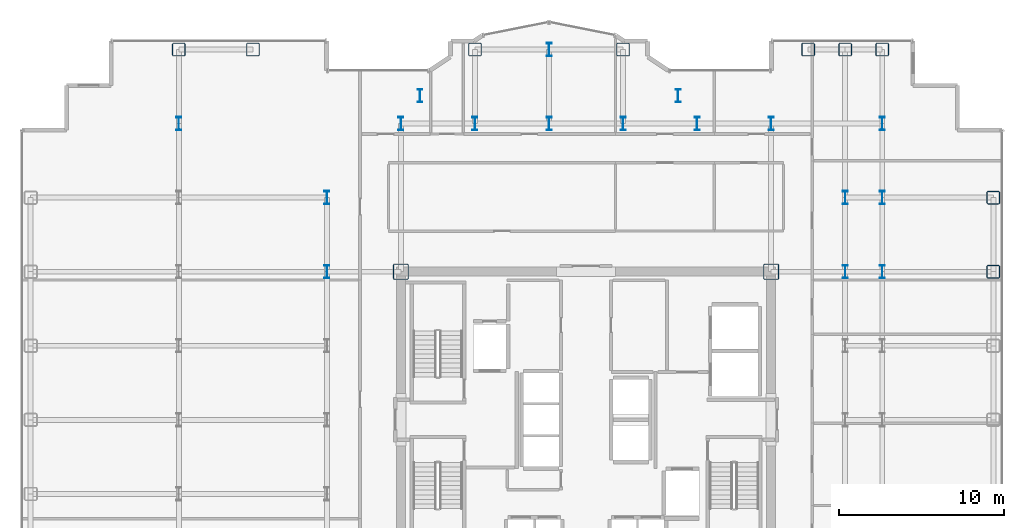
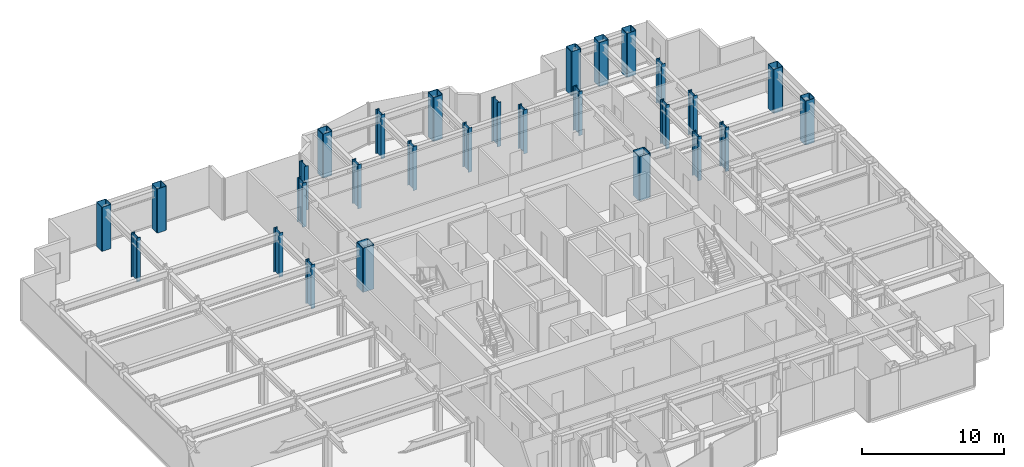
# One storey, part 2 of 23: 28 columns.
"""IFC4 building model written with IfcOpenShell, lengths in metres."""

from ifc_helpers import new_model, si_unit, direction, frame, origin, origin_2d, place, context, subcontext, project, spatial, hollow_rectangle, i_section, extrude, source, transform, mapped, material, material_profile, profile_set, type_object, element, save


model = new_model("IFC4")

# Units and contexts
model_context = context("Model", 3, precision=1e-05, world=origin(), true_north=direction((0.0, 1.0)))
body_context = subcontext(model_context, "Body", "Model", "MODEL_VIEW")
ifc_project = project(units=[si_unit("LENGTHUNIT", "METRE"), si_unit("AREAUNIT", "SQUARE_METRE"), si_unit("VOLUMEUNIT", "CUBIC_METRE"), si_unit("PLANEANGLEUNIT", "RADIAN"), si_unit("MASSUNIT", "GRAM", prefix="KILO")], contexts=[model_context])

# Site, building, storey
site_placement = place(None, origin())
site = spatial("IfcSite", under=ifc_project, at=site_placement, CompositionType="ELEMENT")
building_placement = place(site_placement, origin())
building = spatial("IfcBuilding", under=site, at=building_placement, Name="Nefas-Gora Pilgrimage Tower", CompositionType="ELEMENT")
storey_placement = place(building_placement, frame((0.0, 0.0, 175.39990234375)))
storey = spatial("IfcBuildingStorey", under=building, at=storey_placement, Name="L43", CompositionType="ELEMENT", Elevation=175.39990234375)

# Columns
ifc_material = material(Name="Steel S460", Category="steel")
ifc_material_profile_1 = material_profile(ifc_material, hollow_rectangle(XDim=0.949951171875, YDim=0.949951171875, WallThickness=0.044921875, InnerFilletRadius=0.044921875, OuterFilletRadius=0.090087890625, at=origin_2d()), Name="BOX 950x950x45")
ifc_profile_set_1 = profile_set([ifc_material_profile_1], Name="Steel S460")
column_type_1 = type_object("IfcColumnType", Name="COL-CORE-950", PredefinedType="COLUMN", material=ifc_profile_set_1)
shared_shape_1 = source(origin(), body_context, "Body", "SweptSolid", [
    extrude(hollow_rectangle(XDim=0.949951171875, YDim=0.949951171875, WallThickness=0.044921875, InnerFilletRadius=0.044921875, OuterFilletRadius=0.090087890625, at=origin_2d()), origin(), (0.0, 0.0, 1.0), 3.800048828125),
])
for number, where, z_axis, x_axis, name in (
    (1, (-11.25, 9.0, 0.0), (0.0, 0.0, 1.0), (1.0, 0.0, 0.0), "L43 Tower Column CC-Z1.30"),
    (2, (11.25, 9.0, 0.0), (0.0, 0.0, 1.0), (1.0, 0.0, 0.0), "L43 Tower Column CC-Z1.52"),
):
    element("IfcColumn", number, at=place(storey_placement, frame(where, z_axis=z_axis, x_axis=x_axis)), inside=storey, type_object=column_type_1, Name=name, PredefinedType="COLUMN", context=body_context, shape_type="MappedRepresentation", body=[
        mapped(shared_shape_1, transform((0.0, 0.0, 0.0), x_axis=(1.0, 0.0, 0.0), y_axis=(0.0, 1.0, 0.0), z_axis=(0.0, 0.0, 1.0), scale=1.0)),
    ])
ifc_material_profile_2 = material_profile(ifc_material, hollow_rectangle(XDim=0.800048828125, YDim=0.800048828125, WallThickness=0.0400390625, InnerFilletRadius=0.0400390625, OuterFilletRadius=0.080078125, at=origin_2d()), Name="BOX 800x800x40")
ifc_profile_set_2 = profile_set([ifc_material_profile_2], Name="Steel S460")
column_type_2 = type_object("IfcColumnType", Name="COL-TUBE-800", PredefinedType="COLUMN", material=ifc_profile_set_2)
shared_shape_2 = source(origin(), body_context, "Body", "SweptSolid", [
    extrude(hollow_rectangle(XDim=0.800048828125, YDim=0.800048828125, WallThickness=0.0400390625, InnerFilletRadius=0.0400390625, OuterFilletRadius=0.080078125, at=origin_2d()), origin(), (0.0, 0.0, 1.0), 3.800048828125),
])
for number, where, z_axis, x_axis, name in (
    (3, (-24.75, 22.5, 0.0), (0.0, 0.0, 1.0), (1.0, 0.0, 0.0), "L43 Tower Column C-Z2.18"),
    (4, (-20.25, 22.5, 0.0), (0.0, 0.0, 1.0), (1.0, 0.0, 0.0), "L43 Tower Column C-Z2.20"),
    (5, (-6.75, 22.5, 0.0), (0.0, 0.0, 1.0), (1.0, 0.0, 0.0), "L43 Tower Column C-Z2.37"),
    (6, (2.25, 22.5, 0.0), (0.0, 0.0, 1.0), (1.0, 0.0, 0.0), "L43 Tower Column C-Z2.45"),
    (7, (13.5, 22.5, 0.0), (0.0, 0.0, 1.0), (1.0, 0.0, 0.0), "L43 Tower Column C-Z2.55"),
    (8, (15.75, 22.5, 0.0), (0.0, 0.0, 1.0), (1.0, 0.0, 0.0), "L43 Tower Column C-Z2.64"),
    (9, (18.0, 22.5, 0.0), (0.0, 0.0, 1.0), (1.0, 0.0, 0.0), "L43 Tower Column C-Z2.75"),
    (10, (24.75, 9.0, 0.0), (0.0, 0.0, 1.0), (1.0, 0.0, 0.0), "L43 Tower Column C-Z2.81"),
    (11, (24.75, 13.5, 0.0), (0.0, 0.0, 1.0), (1.0, 0.0, 0.0), "L43 Tower Column C-Z2.82"),
):
    element("IfcColumn", number, at=place(storey_placement, frame(where, z_axis=z_axis, x_axis=x_axis)), inside=storey, type_object=column_type_2, Name=name, PredefinedType="COLUMN", context=body_context, shape_type="MappedRepresentation", body=[
        mapped(shared_shape_2, transform((0.0, 0.0, 0.0), x_axis=(1.0, 0.0, 0.0), y_axis=(0.0, 1.0, 0.0), z_axis=(0.0, 0.0, 1.0), scale=1.0)),
    ])
ifc_material_profile_3 = material_profile(ifc_material, i_section(OverallWidth=0.302978515625, OverallDepth=0.81396484375, WebThickness=0.02099609375, FlangeThickness=0.0400390625, FilletRadius=0.030029296875, at=origin_2d()), Name="HEM 800")
ifc_profile_set_3 = profile_set([ifc_material_profile_3], Name="Steel S460")
column_type_3 = type_object("IfcColumnType", Name="COL-WEB-HEM800", PredefinedType="COLUMN", material=ifc_profile_set_3)
shared_shape_3 = source(origin(), body_context, "Body", "SweptSolid", [
    extrude(i_section(OverallWidth=0.302978515625, OverallDepth=0.81396484375, WebThickness=0.02099609375, FlangeThickness=0.0400390625, FilletRadius=0.030029296875, at=origin_2d()), origin(), (0.0, 0.0, 1.0), 3.800048828125),
])
for number, where, z_axis, x_axis, name in (
    (12, (-24.75, 18.0, 0.0), (0.0, 0.0, 1.0), (1.0, 0.0, 0.0), "L43 Tower Column CW-02.17"),
    (13, (-15.75, 9.0, 0.0), (0.0, 0.0, 1.0), (1.0, 0.0, 0.0), "L43 Tower Column CW-02.26"),
    (14, (-15.75, 13.5, 0.0), (0.0, 0.0, 1.0), (1.0, 0.0, 0.0), "L43 Tower Column CW-02.27"),
    (15, (-11.25, 18.0, 0.0), (0.0, 0.0, 1.0), (1.0, 0.0, 0.0), "L43 Tower Column CW-02.31"),
    (16, (-10.091064453125, 19.696044921875, 0.0), (0.0, 0.0, 1.0), (1.0, 0.0, 0.0), "L43 Tower Column CW-02.33"),
    (17, (-6.75, 18.0, 0.0), (0.0, 0.0, 1.0), (1.0, 0.0, 0.0), "L43 Tower Column CW-02.36"),
    (18, (-2.25, 18.0, 0.0), (0.0, 0.0, 1.0), (1.0, 0.0, 0.0), "L43 Tower Column CW-02.40"),
    (19, (-2.25, 22.5, 0.0), (0.0, 0.0, 1.0), (1.0, 0.0, 0.0), "L43 Tower Column CW-02.41"),
    (20, (2.25, 18.0, 0.0), (0.0, 0.0, 1.0), (1.0, 0.0, 0.0), "L43 Tower Column CW-02.44"),
    (21, (5.591064453125, 19.696044921875, 0.0), (0.0, 0.0, 1.0), (1.0, 0.0, 0.0), "L43 Tower Column CW-02.47"),
    (22, (6.75, 18.0, 0.0), (0.0, 0.0, 1.0), (1.0, 0.0, 0.0), "L43 Tower Column CW-02.49"),
    (23, (11.25, 18.0, 0.0), (0.0, 0.0, 1.0), (1.0, 0.0, 0.0), "L43 Tower Column CW-02.53"),
    (24, (15.75, 9.0, 0.0), (0.0, 0.0, 1.0), (1.0, 0.0, 0.0), "L43 Tower Column CW-02.62"),
    (25, (15.75, 13.5, 0.0), (0.0, 0.0, 1.0), (1.0, 0.0, 0.0), "L43 Tower Column CW-02.63"),
    (26, (18.0, 9.0, 0.0), (0.0, 0.0, 1.0), (1.0, 0.0, 0.0), "L43 Tower Column CW-02.72"),
    (27, (18.0, 13.5, 0.0), (0.0, 0.0, 1.0), (1.0, 0.0, 0.0), "L43 Tower Column CW-02.73"),
    (28, (18.0, 18.0, 0.0), (0.0, 0.0, 1.0), (1.0, 0.0, 0.0), "L43 Tower Column CW-02.74"),
):
    element("IfcColumn", number, at=place(storey_placement, frame(where, z_axis=z_axis, x_axis=x_axis)), inside=storey, type_object=column_type_3, Name=name, PredefinedType="COLUMN", context=body_context, shape_type="MappedRepresentation", body=[
        mapped(shared_shape_3, transform((0.0, 0.0, 0.0), x_axis=(1.0, 0.0, 0.0), y_axis=(0.0, 1.0, 0.0), z_axis=(0.0, 0.0, 1.0), scale=1.0)),
    ])

save(model, "model.ifc")
